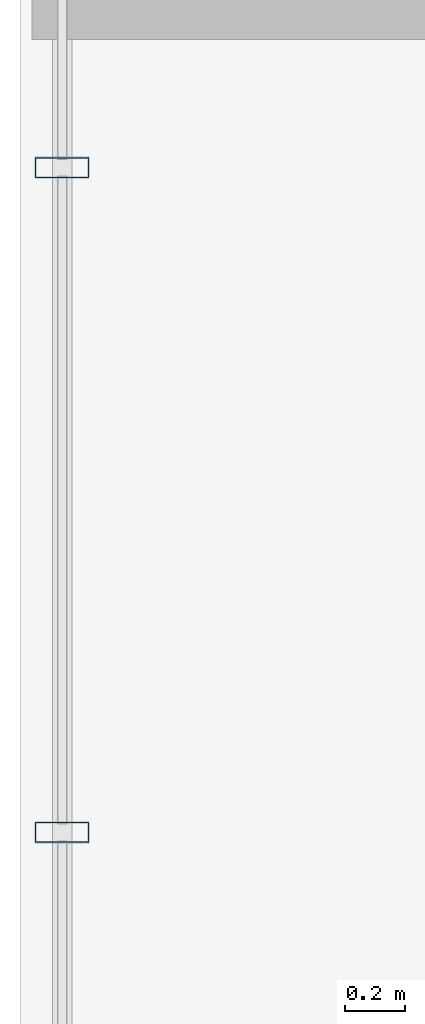
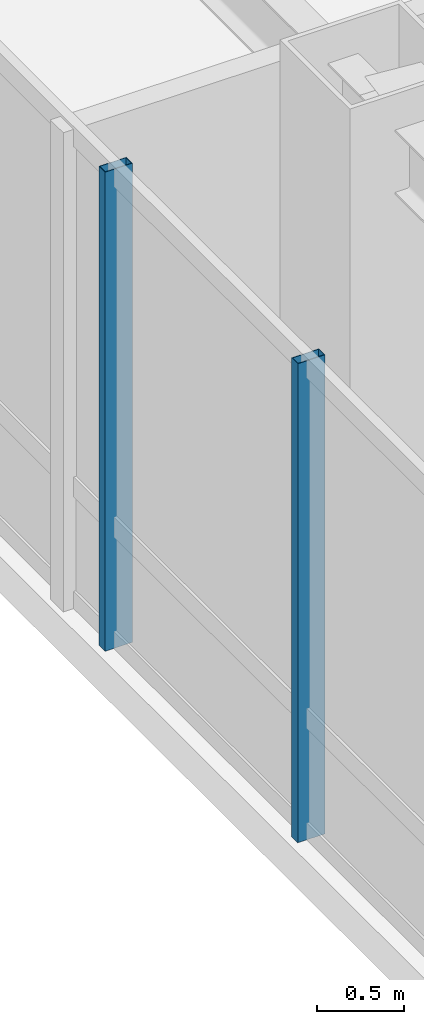
# One storey, part 6 of 27: 2 members, 1 element without a shape of its own.
"""IFC4 building model written with IfcOpenShell, lengths in metres."""

from ifc_helpers import new_model, si_unit, direction, frame, origin, origin_2d, place, context, subcontext, project, spatial, hollow_rectangle, extrude, material, layer, layer_set, material_profile, profile_set, type_object, element, aggregate, save


model = new_model("IFC4")

# Units and contexts
model_context = context("Model", 3, precision=1e-05, world=origin(), true_north=direction((0.0, 1.0)))
body_context = subcontext(model_context, "Body", "Model", "MODEL_VIEW")
ifc_project = project(units=[si_unit("LENGTHUNIT", "METRE"), si_unit("AREAUNIT", "SQUARE_METRE"), si_unit("VOLUMEUNIT", "CUBIC_METRE"), si_unit("PLANEANGLEUNIT", "RADIAN"), si_unit("MASSUNIT", "GRAM", prefix="KILO")], contexts=[model_context])

# Site, building, storey
site_placement = place(None, origin())
site = spatial("IfcSite", under=ifc_project, at=site_placement, CompositionType="ELEMENT")
building_placement = place(site_placement, origin())
building = spatial("IfcBuilding", under=site, at=building_placement, Name="Hatsunagi Terrace Concourse", CompositionType="ELEMENT")
storey_placement = place(building_placement, frame((0.0, 0.0, 145.64990234375)))
storey = spatial("IfcBuildingStorey", under=building, at=storey_placement, Name="L38", CompositionType="ELEMENT", Elevation=145.64990234375)

# Curtain wall, members
ifc_material_1 = material(Name="Anodised Aluminium Alloy 6063-T5", Category="aluminium")
ifc_layer = layer(ifc_material_1, 0.199951171875)
ifc_layer_set = layer_set([ifc_layer], Name="OfficeZone1_CW03")
curtain_wall_type = type_object("IfcCurtainWallType", Name="OfficeZone1_CW03", PredefinedType="NOTDEFINED", material=ifc_layer_set)
curtain_wall_placement = place(storey_placement, origin())
curtain_wall = element("IfcCurtainWall", 1, at=curtain_wall_placement, inside=storey, type_object=curtain_wall_type, Name="Unitised Curtain Wall CW-03 CW-L38-09", PredefinedType="NOTDEFINED")
ifc_material_2 = material(Name="Anodised Aluminium Alloy 6063-T5", Category="aluminium")
ifc_material_profile = material_profile(ifc_material_2, hollow_rectangle(XDim=0.070068359375, YDim=0.179931640625, WallThickness=0.00390625, at=origin_2d()), Name="ALU-MUL-180x70x4")
ifc_profile_set = profile_set([ifc_material_profile], Name="Anodised Aluminium Alloy 6063-T5")
member_type = type_object("IfcMemberType", Name="CurtainWallMullion_180x70", PredefinedType="MULLION", material=ifc_profile_set)
member_1_placement = place(storey_placement, frame((9.739990234375, 34.69189453125, 0.0), z_axis=(0.0, 0.0, 1.0), x_axis=(0.0, 1.0, 0.0)))
member_1 = element("IfcMember", 2, at=member_1_placement, type_object=member_type, Name="Curtain Wall Mullion MUL-02", PredefinedType="MULLION", context=body_context, shape_type="SweptSolid", body=[
    extrude(hollow_rectangle(XDim=0.070068359375, YDim=0.179931640625, WallThickness=0.00390625, at=origin_2d()), origin(), (0.0, 0.0, 1.0), 3.35009765625),
])
member_2_placement = place(storey_placement, frame((9.739990234375, 36.89990234375, 0.0), z_axis=(0.0, 0.0, 1.0), x_axis=(0.0, 1.0, 0.0)))
member_2 = element("IfcMember", 3, at=member_2_placement, type_object=member_type, Name="Curtain Wall Mullion MUL-02", PredefinedType="MULLION", context=body_context, shape_type="SweptSolid", body=[
    extrude(hollow_rectangle(XDim=0.070068359375, YDim=0.179931640625, WallThickness=0.00390625, at=origin_2d()), origin(), (0.0, 0.0, 1.0), 3.35009765625),
])
aggregate(curtain_wall, [member_1, member_2])

save(model, "model.ifc")
